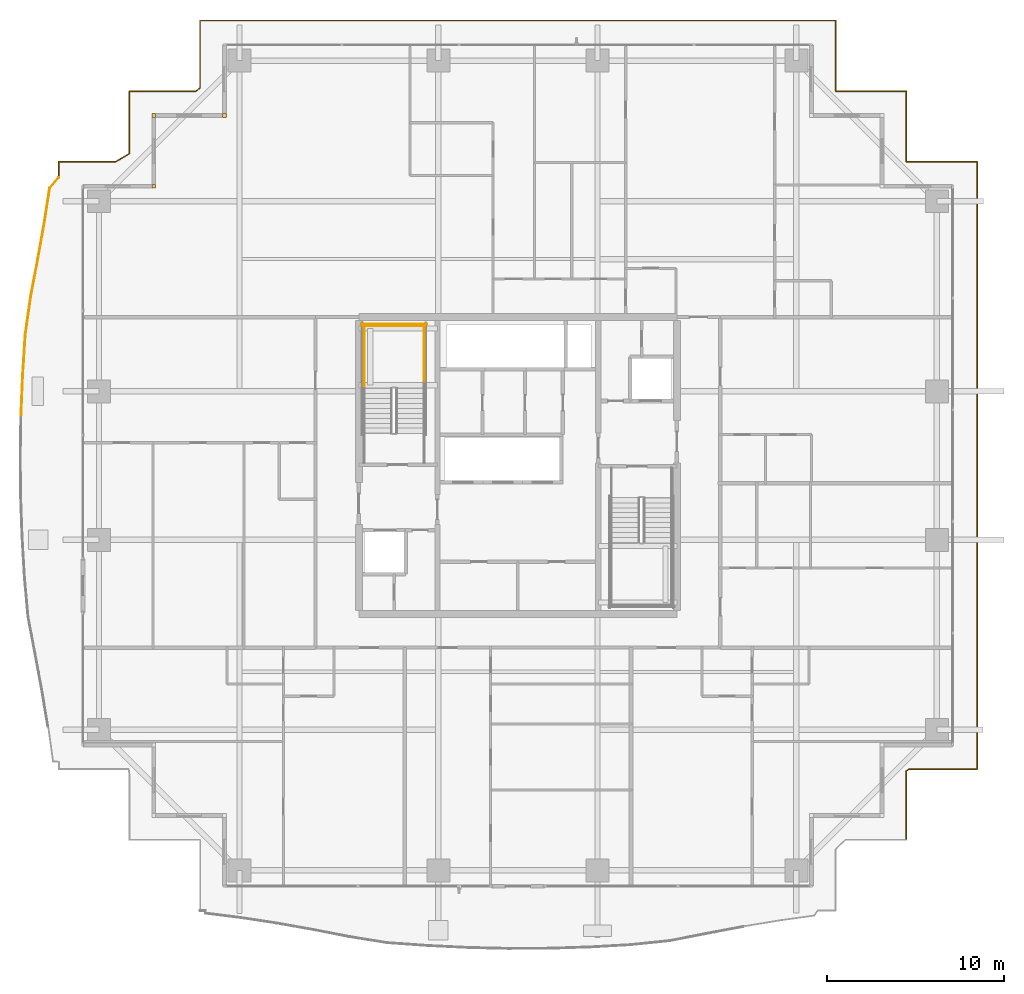
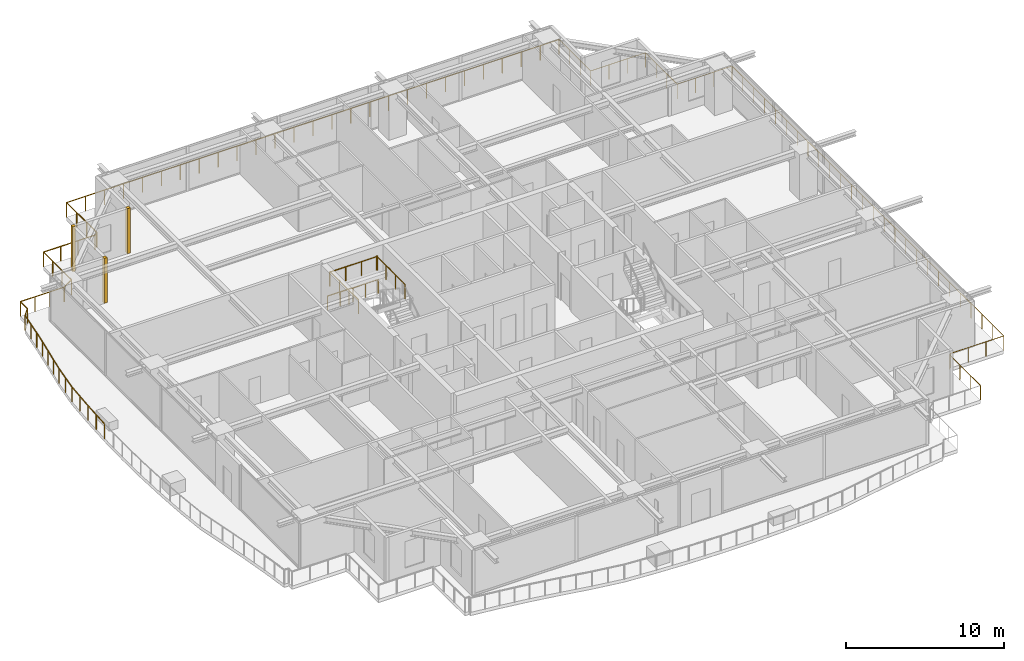
# One storey, part 34 of 35: 7 railings, 3 coverings.
"""IFC4 building model written with IfcOpenShell, lengths in metres."""

from ifc_helpers import new_model, si_unit, direction, frame, origin, origin_2d, place, context, subcontext, project, spatial, rectangle, circle, extrude, source, transform, mapped, material, layer, layer_set, type_object, element, save


model = new_model("IFC4")

# Units and contexts
model_context = context("Model", 3, precision=1e-05, world=origin(), true_north=direction((0.0, 1.0)))
body_context = subcontext(model_context, "Body", "Model", "MODEL_VIEW")
ifc_project = project(units=[si_unit("LENGTHUNIT", "METRE"), si_unit("AREAUNIT", "SQUARE_METRE"), si_unit("VOLUMEUNIT", "CUBIC_METRE"), si_unit("PLANEANGLEUNIT", "RADIAN"), si_unit("MASSUNIT", "GRAM", prefix="KILO")], contexts=[model_context])

# Site, building, storey
site_placement = place(None, origin())
site = spatial("IfcSite", under=ifc_project, at=site_placement, CompositionType="ELEMENT")
building_placement = place(site_placement, origin())
building = spatial("IfcBuilding", under=site, at=building_placement, Name="Serunith Strait Residences", CompositionType="ELEMENT")
storey_placement = place(building_placement, frame((0.0, 0.0, 157.64990234375)))
storey = spatial("IfcBuildingStorey", under=building, at=storey_placement, Name="L39", CompositionType="ELEMENT", Elevation=157.64990234375)

# Railings
ifc_material_1 = material(Name="Stainless Steel & Laminated Glass Balustrade", Category="steel")
railing_type_1 = type_object("IfcRailingType", Name="RLG-BALC-1150", PredefinedType="BALUSTRADE", material=ifc_material_1)
railing_1_placement = place(storey_placement, frame((4.2958984375, 28.037109375, -0.0498046875)))
element("IfcRailing", 1, at=railing_1_placement, inside=storey, type_object=railing_type_1, Name="L39 Swirling Balcony Perimeter Balustrade 3", PredefinedType="BALUSTRADE", context=body_context, shape_type="SweptSolid", body=[
    extrude(circle(Radius=0.02392578125, at=origin_2d()), frame((0.0, 0.001953125, 1.1259765625), z_axis=(0.041390934752, 0.99914302806, 0.0), x_axis=(-0.99914302806, 0.041390934752, 0.0)), (0.0, 0.0, 1.0), 2.28466796875),
    extrude(circle(Radius=0.02392578125, at=origin_2d()), frame((0.094970703125, 2.28857421875, 1.1259765625), z_axis=(0.063231414278, 0.997998891907, 0.0), x_axis=(-0.997998891907, 0.063231414278, 0.0)), (0.0, 0.0, 1.0), 2.258544921875),
    extrude(circle(Radius=0.02392578125, at=origin_2d()), frame((0.238037109375, 4.546630859375, 1.1259765625), z_axis=(0.14019358239, 0.990124113158, 0.0), x_axis=(-0.990124113158, 0.14019358239, 0.0)), (0.0, 0.0, 1.0), 2.195556640625),
    extrude(circle(Radius=0.02392578125, at=origin_2d()), frame((0.546630859375, 6.724365234375, 1.1259765625), z_axis=(0.186943252248, 0.982370714363, 0.0), x_axis=(-0.982370714363, 0.186943252248, 0.0)), (0.0, 0.0, 1.0), 2.1220703125),
    extrude(circle(Radius=0.02392578125, at=origin_2d()), frame((0.94384765625, 8.81298828125, 1.1259765625), z_axis=(0.175868100237, 0.984413739908, 0.0), x_axis=(-0.984413739908, 0.175868100237, 0.0)), (0.0, 0.0, 1.0), 2.068603515625),
    extrude(circle(Radius=0.02392578125, at=origin_2d()), frame((1.308349609375, 10.853271484375, 1.1259765625), z_axis=(0.154040180461, 0.988064584328, 0.0), x_axis=(-0.988064584328, 0.154040180461, 0.0)), (0.0, 0.0, 1.0), 2.031005859375),
    extrude(circle(Radius=0.02392578125, at=origin_2d()), frame((1.622802734375, 12.863525390625, 1.1259765625), z_axis=(0.650322829798, 0.759657960561, 0.0), x_axis=(-0.759657960561, 0.650322829798, 0.0)), (0.0, 0.0, 1.0), 0.7685546875),
    extrude(circle(Radius=0.02099609375, at=origin_2d()), origin(), (0.0, 0.0, 1.0), 1.099853515625),
    extrude(circle(Radius=0.02099609375, at=origin_2d()), frame((0.04736328125, 1.143310546875, 0.0)), (0.0, 0.0, 1.0), 1.099853515625),
    extrude(circle(Radius=0.02099609375, at=origin_2d()), frame((0.0947265625, 2.28662109375, 0.0)), (0.0, 0.0, 1.0), 1.099853515625),
    extrude(circle(Radius=0.02099609375, at=origin_2d()), frame((0.166259765625, 3.41552734375, 0.0)), (0.0, 0.0, 1.0), 1.099853515625),
    extrude(circle(Radius=0.02099609375, at=origin_2d()), frame((0.23779296875, 4.544677734375, 0.0)), (0.0, 0.0, 1.0), 1.099853515625),
    extrude(circle(Radius=0.02099609375, at=origin_2d()), frame((0.39208984375, 5.633544921875, 0.0)), (0.0, 0.0, 1.0), 1.099853515625),
    extrude(circle(Radius=0.02099609375, at=origin_2d()), frame((0.546142578125, 6.722412109375, 0.0)), (0.0, 0.0, 1.0), 1.099853515625),
    extrude(circle(Radius=0.02099609375, at=origin_2d()), frame((0.744873046875, 7.7666015625, 0.0)), (0.0, 0.0, 1.0), 1.099853515625),
    extrude(circle(Radius=0.02099609375, at=origin_2d()), frame((0.943603515625, 8.81103515625, 0.0)), (0.0, 0.0, 1.0), 1.099853515625),
    extrude(circle(Radius=0.02099609375, at=origin_2d()), frame((1.1259765625, 9.8310546875, 0.0)), (0.0, 0.0, 1.0), 1.099853515625),
    extrude(circle(Radius=0.02099609375, at=origin_2d()), frame((1.30810546875, 10.851318359375, 0.0)), (0.0, 0.0, 1.0), 1.099853515625),
    extrude(circle(Radius=0.02099609375, at=origin_2d()), frame((1.46484375, 11.856689453125, 0.0)), (0.0, 0.0, 1.0), 1.099853515625),
    extrude(circle(Radius=0.02099609375, at=origin_2d()), frame((1.62158203125, 12.862060546875, 0.0)), (0.0, 0.0, 1.0), 1.099853515625),
    extrude(circle(Radius=0.02099609375, at=origin_2d()), frame((2.1240234375, 13.448974609375, 0.0)), (0.0, 0.0, 1.0), 1.099853515625),
])
railing_2_placement = place(storey_placement, frame((6.419921875, 41.486083984375, -0.0498046875)))
element("IfcRailing", 2, at=railing_2_placement, inside=storey, type_object=railing_type_1, Name="L39 Swirling Balcony Perimeter Balustrade 4", PredefinedType="BALUSTRADE", context=body_context, shape_type="SweptSolid", body=[
    extrude(circle(Radius=0.02392578125, at=origin_2d()), frame((0.0, 0.001953125, 1.1259765625), z_axis=(0.0, 1.0, 0.0), x_axis=(-1.0, 0.0, 0.0)), (0.0, 0.0, 1.0), 0.889892578125),
    extrude(circle(Radius=0.02392578125, at=origin_2d()), frame((0.001953125, 0.893798828125, 1.1259765625), z_axis=(1.0, 0.0, 0.0), x_axis=(0.0, 1.0, 0.0)), (0.0, 0.0, 1.0), 3.20263671875),
    extrude(circle(Radius=0.02392578125, at=origin_2d()), frame((3.208251953125, 0.894775390625, 1.1259765625), z_axis=(0.859005095077, 0.511967036666, 0.0), x_axis=(-0.511967036666, 0.859005095077, 0.0)), (0.0, 0.0, 1.0), 0.919677734375),
    extrude(circle(Radius=0.02392578125, at=origin_2d()), frame((4.0, 1.36865234375, 1.1259765625), z_axis=(0.0, 1.0, 0.0), x_axis=(-1.0, 0.0, 0.0)), (0.0, 0.0, 1.0), 3.523193359375),
    extrude(circle(Radius=0.02392578125, at=origin_2d()), frame((4.001953125, 4.893798828125, 1.1259765625), z_axis=(1.0, 0.0, 0.0), x_axis=(0.0, 1.0, 0.0)), (0.0, 0.0, 1.0), 3.768310546875),
    extrude(circle(Radius=0.02392578125, at=origin_2d()), frame((7.773681640625, 4.89501953125, 1.1259765625), z_axis=(0.780215704958, 0.625510554457, 0.0), x_axis=(-0.625510554457, 0.780215704958, 0.0)), (0.0, 0.0, 1.0), 0.287841796875),
    extrude(circle(Radius=0.02392578125, at=origin_2d()), frame((8.0, 5.078369140625, 1.1259765625), z_axis=(0.0, 1.0, 0.0), x_axis=(-1.0, 0.0, 0.0)), (0.0, 0.0, 1.0), 3.8134765625),
    extrude(circle(Radius=0.02392578125, at=origin_2d()), frame((8.001953125, 8.893798828125, 1.1259765625), z_axis=(1.0, 0.0, 0.0), x_axis=(0.0, 1.0, 0.0)), (0.0, 0.0, 1.0), 35.9560546875),
    extrude(circle(Radius=0.02099609375, at=origin_2d()), origin(), (0.0, 0.0, 1.0), 1.099853515625),
    extrude(circle(Radius=0.02099609375, at=origin_2d()), frame((0.0, 0.893798828125, 0.0)), (0.0, 0.0, 1.0), 1.099853515625),
    extrude(circle(Radius=0.02099609375, at=origin_2d()), frame((1.06884765625, 0.893798828125, 0.0)), (0.0, 0.0, 1.0), 1.099853515625),
    extrude(circle(Radius=0.02099609375, at=origin_2d()), frame((2.1376953125, 0.893798828125, 0.0)), (0.0, 0.0, 1.0), 1.099853515625),
    extrude(circle(Radius=0.02099609375, at=origin_2d()), frame((3.20654296875, 0.893798828125, 0.0)), (0.0, 0.0, 1.0), 1.099853515625),
    extrude(circle(Radius=0.02099609375, at=origin_2d()), frame((4.0, 1.36669921875, 0.0)), (0.0, 0.0, 1.0), 1.099853515625),
    extrude(circle(Radius=0.02099609375, at=origin_2d()), frame((4.0, 2.54248046875, 0.0)), (0.0, 0.0, 1.0), 1.099853515625),
    extrude(circle(Radius=0.02099609375, at=origin_2d()), frame((4.0, 3.718017578125, 0.0)), (0.0, 0.0, 1.0), 1.099853515625),
    extrude(circle(Radius=0.02099609375, at=origin_2d()), frame((4.0, 4.893798828125, 0.0)), (0.0, 0.0, 1.0), 1.099853515625),
    extrude(circle(Radius=0.02099609375, at=origin_2d()), frame((5.25732421875, 4.893798828125, 0.0)), (0.0, 0.0, 1.0), 1.099853515625),
    extrude(circle(Radius=0.02099609375, at=origin_2d()), frame((6.514892578125, 4.893798828125, 0.0)), (0.0, 0.0, 1.0), 1.099853515625),
    extrude(circle(Radius=0.02099609375, at=origin_2d()), frame((7.772216796875, 4.893798828125, 0.0)), (0.0, 0.0, 1.0), 1.099853515625),
    extrude(circle(Radius=0.02099609375, at=origin_2d()), frame((8.0, 5.076416015625, 0.0)), (0.0, 0.0, 1.0), 1.099853515625),
    extrude(circle(Radius=0.02099609375, at=origin_2d()), frame((8.0, 6.348876953125, 0.0)), (0.0, 0.0, 1.0), 1.099853515625),
    extrude(circle(Radius=0.02099609375, at=origin_2d()), frame((8.0, 7.621337890625, 0.0)), (0.0, 0.0, 1.0), 1.099853515625),
    extrude(circle(Radius=0.02099609375, at=origin_2d()), frame((8.0, 8.893798828125, 0.0)), (0.0, 0.0, 1.0), 1.099853515625),
    extrude(circle(Radius=0.02099609375, at=origin_2d()), frame((9.383056640625, 8.893798828125, 0.0)), (0.0, 0.0, 1.0), 1.099853515625),
    extrude(circle(Radius=0.02099609375, at=origin_2d()), frame((10.76611328125, 8.893798828125, 0.0)), (0.0, 0.0, 1.0), 1.099853515625),
    extrude(circle(Radius=0.02099609375, at=origin_2d()), frame((12.149169921875, 8.893798828125, 0.0)), (0.0, 0.0, 1.0), 1.099853515625),
    extrude(circle(Radius=0.02099609375, at=origin_2d()), frame((13.5322265625, 8.893798828125, 0.0)), (0.0, 0.0, 1.0), 1.099853515625),
    extrude(circle(Radius=0.02099609375, at=origin_2d()), frame((14.915283203125, 8.893798828125, 0.0)), (0.0, 0.0, 1.0), 1.099853515625),
    extrude(circle(Radius=0.02099609375, at=origin_2d()), frame((16.29833984375, 8.893798828125, 0.0)), (0.0, 0.0, 1.0), 1.099853515625),
    extrude(circle(Radius=0.02099609375, at=origin_2d()), frame((17.681640625, 8.893798828125, 0.0)), (0.0, 0.0, 1.0), 1.099853515625),
    extrude(circle(Radius=0.02099609375, at=origin_2d()), frame((19.064697265625, 8.893798828125, 0.0)), (0.0, 0.0, 1.0), 1.099853515625),
    extrude(circle(Radius=0.02099609375, at=origin_2d()), frame((20.44775390625, 8.893798828125, 0.0)), (0.0, 0.0, 1.0), 1.099853515625),
    extrude(circle(Radius=0.02099609375, at=origin_2d()), frame((21.830810546875, 8.893798828125, 0.0)), (0.0, 0.0, 1.0), 1.099853515625),
    extrude(circle(Radius=0.02099609375, at=origin_2d()), frame((23.2138671875, 8.893798828125, 0.0)), (0.0, 0.0, 1.0), 1.099853515625),
    extrude(circle(Radius=0.02099609375, at=origin_2d()), frame((24.596923828125, 8.893798828125, 0.0)), (0.0, 0.0, 1.0), 1.099853515625),
    extrude(circle(Radius=0.02099609375, at=origin_2d()), frame((25.97998046875, 8.893798828125, 0.0)), (0.0, 0.0, 1.0), 1.099853515625),
    extrude(circle(Radius=0.02099609375, at=origin_2d()), frame((27.363037109375, 8.893798828125, 0.0)), (0.0, 0.0, 1.0), 1.099853515625),
    extrude(circle(Radius=0.02099609375, at=origin_2d()), frame((28.74609375, 8.893798828125, 0.0)), (0.0, 0.0, 1.0), 1.099853515625),
    extrude(circle(Radius=0.02099609375, at=origin_2d()), frame((30.129150390625, 8.893798828125, 0.0)), (0.0, 0.0, 1.0), 1.099853515625),
    extrude(circle(Radius=0.02099609375, at=origin_2d()), frame((31.51220703125, 8.893798828125, 0.0)), (0.0, 0.0, 1.0), 1.099853515625),
    extrude(circle(Radius=0.02099609375, at=origin_2d()), frame((32.895263671875, 8.893798828125, 0.0)), (0.0, 0.0, 1.0), 1.099853515625),
    extrude(circle(Radius=0.02099609375, at=origin_2d()), frame((34.2783203125, 8.893798828125, 0.0)), (0.0, 0.0, 1.0), 1.099853515625),
    extrude(circle(Radius=0.02099609375, at=origin_2d()), frame((35.66162109375, 8.893798828125, 0.0)), (0.0, 0.0, 1.0), 1.099853515625),
    extrude(circle(Radius=0.02099609375, at=origin_2d()), frame((37.044677734375, 8.893798828125, 0.0)), (0.0, 0.0, 1.0), 1.099853515625),
    extrude(circle(Radius=0.02099609375, at=origin_2d()), frame((38.427734375, 8.893798828125, 0.0)), (0.0, 0.0, 1.0), 1.099853515625),
    extrude(circle(Radius=0.02099609375, at=origin_2d()), frame((39.810791015625, 8.893798828125, 0.0)), (0.0, 0.0, 1.0), 1.099853515625),
    extrude(circle(Radius=0.02099609375, at=origin_2d()), frame((41.19384765625, 8.893798828125, 0.0)), (0.0, 0.0, 1.0), 1.099853515625),
    extrude(circle(Radius=0.02099609375, at=origin_2d()), frame((42.576904296875, 8.893798828125, 0.0)), (0.0, 0.0, 1.0), 1.099853515625),
    extrude(circle(Radius=0.02099609375, at=origin_2d()), frame((43.9599609375, 8.893798828125, 0.0)), (0.0, 0.0, 1.0), 1.099853515625),
])
railing_3_placement = place(storey_placement, frame((50.3798828125, 50.3798828125, -0.0498046875)))
element("IfcRailing", 3, at=railing_3_placement, inside=storey, type_object=railing_type_1, Name="L39 Swirling Balcony Perimeter Balustrade 5", PredefinedType="BALUSTRADE", context=body_context, shape_type="SweptSolid", body=[
    extrude(circle(Radius=0.02392578125, at=origin_2d()), frame((0.0, -0.001953125, 1.1259765625), z_axis=(0.0, -1.0, 0.0), x_axis=(1.0, 0.0, 0.0)), (0.0, 0.0, 1.0), 3.99609375),
    extrude(circle(Radius=0.02392578125, at=origin_2d()), frame((0.001953125, -4.0, 1.1259765625), z_axis=(1.0, 0.0, 0.0), x_axis=(0.0, 1.0, 0.0)), (0.0, 0.0, 1.0), 3.99609375),
    extrude(circle(Radius=0.02392578125, at=origin_2d()), frame((4.0, -4.001953125, 1.1259765625), z_axis=(0.0, -1.0, 0.0), x_axis=(1.0, 0.0, 0.0)), (0.0, 0.0, 1.0), 3.99609375),
    extrude(circle(Radius=0.02392578125, at=origin_2d()), frame((4.001953125, -8.0, 1.1259765625), z_axis=(1.0, 0.0, 0.0), x_axis=(0.0, 1.0, 0.0)), (0.0, 0.0, 1.0), 3.99609375),
    extrude(circle(Radius=0.02392578125, at=origin_2d()), frame((8.0, -8.001953125, 1.1259765625), z_axis=(0.0, -1.0, 0.0), x_axis=(1.0, 0.0, 0.0)), (0.0, 0.0, 1.0), 34.35595703125),
    extrude(circle(Radius=0.02392578125, at=origin_2d()), frame((7.998046875, -42.35986328125, 1.1259765625), z_axis=(-1.0, 0.0, 0.0), x_axis=(0.0, -1.0, 0.0)), (0.0, 0.0, 1.0), 3.86083984375),
    extrude(circle(Radius=0.02392578125, at=origin_2d()), frame((4.133544921875, -42.361083984375, 1.1259765625), z_axis=(-0.809367380782, -0.587302684249, 0.0), x_axis=(0.587302684249, -0.809367380782, 0.0)), (0.0, 0.0, 1.0), 0.1630859375),
    extrude(circle(Radius=0.02392578125, at=origin_2d()), frame((4.0, -42.4599609375, 1.1259765625), z_axis=(0.0, -1.0, 0.0), x_axis=(1.0, 0.0, 0.0)), (0.0, 0.0, 1.0), 3.89794921875),
    extrude(circle(Radius=0.02099609375, at=origin_2d()), origin(), (0.0, 0.0, 1.0), 1.099853515625),
    extrude(circle(Radius=0.02099609375, at=origin_2d()), frame((0.0, -1.333251953125, 0.0)), (0.0, 0.0, 1.0), 1.099853515625),
    extrude(circle(Radius=0.02099609375, at=origin_2d()), frame((0.0, -2.666748046875, 0.0)), (0.0, 0.0, 1.0), 1.099853515625),
    extrude(circle(Radius=0.02099609375, at=origin_2d()), frame((0.0, -4.0, 0.0)), (0.0, 0.0, 1.0), 1.099853515625),
    extrude(circle(Radius=0.02099609375, at=origin_2d()), frame((1.333251953125, -4.0, 0.0)), (0.0, 0.0, 1.0), 1.099853515625),
    extrude(circle(Radius=0.02099609375, at=origin_2d()), frame((2.666748046875, -4.0, 0.0)), (0.0, 0.0, 1.0), 1.099853515625),
    extrude(circle(Radius=0.02099609375, at=origin_2d()), frame((4.0, -4.0, 0.0)), (0.0, 0.0, 1.0), 1.099853515625),
    extrude(circle(Radius=0.02099609375, at=origin_2d()), frame((4.0, -5.333251953125, 0.0)), (0.0, 0.0, 1.0), 1.099853515625),
    extrude(circle(Radius=0.02099609375, at=origin_2d()), frame((4.0, -6.666748046875, 0.0)), (0.0, 0.0, 1.0), 1.099853515625),
    extrude(circle(Radius=0.02099609375, at=origin_2d()), frame((4.0, -8.0, 0.0)), (0.0, 0.0, 1.0), 1.099853515625),
    extrude(circle(Radius=0.02099609375, at=origin_2d()), frame((5.333251953125, -8.0, 0.0)), (0.0, 0.0, 1.0), 1.099853515625),
    extrude(circle(Radius=0.02099609375, at=origin_2d()), frame((6.666748046875, -8.0, 0.0)), (0.0, 0.0, 1.0), 1.099853515625),
    extrude(circle(Radius=0.02099609375, at=origin_2d()), frame((8.0, -8.0, 0.0)), (0.0, 0.0, 1.0), 1.099853515625),
    extrude(circle(Radius=0.02099609375, at=origin_2d()), frame((8.0, -9.37451171875, 0.0)), (0.0, 0.0, 1.0), 1.099853515625),
    extrude(circle(Radius=0.02099609375, at=origin_2d()), frame((8.0, -10.748779296875, 0.0)), (0.0, 0.0, 1.0), 1.099853515625),
    extrude(circle(Radius=0.02099609375, at=origin_2d()), frame((8.0, -12.123291015625, 0.0)), (0.0, 0.0, 1.0), 1.099853515625),
    extrude(circle(Radius=0.02099609375, at=origin_2d()), frame((8.0, -13.49755859375, 0.0)), (0.0, 0.0, 1.0), 1.099853515625),
    extrude(circle(Radius=0.02099609375, at=origin_2d()), frame((8.0, -14.8720703125, 0.0)), (0.0, 0.0, 1.0), 1.099853515625),
    extrude(circle(Radius=0.02099609375, at=origin_2d()), frame((8.0, -16.246337890625, 0.0)), (0.0, 0.0, 1.0), 1.099853515625),
    extrude(circle(Radius=0.02099609375, at=origin_2d()), frame((8.0, -17.620849609375, 0.0)), (0.0, 0.0, 1.0), 1.099853515625),
    extrude(circle(Radius=0.02099609375, at=origin_2d()), frame((8.0, -18.9951171875, 0.0)), (0.0, 0.0, 1.0), 1.099853515625),
    extrude(circle(Radius=0.02099609375, at=origin_2d()), frame((8.0, -20.36962890625, 0.0)), (0.0, 0.0, 1.0), 1.099853515625),
    extrude(circle(Radius=0.02099609375, at=origin_2d()), frame((8.0, -21.743896484375, 0.0)), (0.0, 0.0, 1.0), 1.099853515625),
    extrude(circle(Radius=0.02099609375, at=origin_2d()), frame((8.0, -23.118408203125, 0.0)), (0.0, 0.0, 1.0), 1.099853515625),
    extrude(circle(Radius=0.02099609375, at=origin_2d()), frame((8.0, -24.49267578125, 0.0)), (0.0, 0.0, 1.0), 1.099853515625),
    extrude(circle(Radius=0.02099609375, at=origin_2d()), frame((8.0, -25.8671875, 0.0)), (0.0, 0.0, 1.0), 1.099853515625),
    extrude(circle(Radius=0.02099609375, at=origin_2d()), frame((8.0, -27.241455078125, 0.0)), (0.0, 0.0, 1.0), 1.099853515625),
    extrude(circle(Radius=0.02099609375, at=origin_2d()), frame((8.0, -28.615966796875, 0.0)), (0.0, 0.0, 1.0), 1.099853515625),
    extrude(circle(Radius=0.02099609375, at=origin_2d()), frame((8.0, -29.990234375, 0.0)), (0.0, 0.0, 1.0), 1.099853515625),
    extrude(circle(Radius=0.02099609375, at=origin_2d()), frame((8.0, -31.36474609375, 0.0)), (0.0, 0.0, 1.0), 1.099853515625),
    extrude(circle(Radius=0.02099609375, at=origin_2d()), frame((8.0, -32.739013671875, 0.0)), (0.0, 0.0, 1.0), 1.099853515625),
    extrude(circle(Radius=0.02099609375, at=origin_2d()), frame((8.0, -34.113525390625, 0.0)), (0.0, 0.0, 1.0), 1.099853515625),
    extrude(circle(Radius=0.02099609375, at=origin_2d()), frame((8.0, -35.48779296875, 0.0)), (0.0, 0.0, 1.0), 1.099853515625),
    extrude(circle(Radius=0.02099609375, at=origin_2d()), frame((8.0, -36.8623046875, 0.0)), (0.0, 0.0, 1.0), 1.099853515625),
    extrude(circle(Radius=0.02099609375, at=origin_2d()), frame((8.0, -38.236572265625, 0.0)), (0.0, 0.0, 1.0), 1.099853515625),
    extrude(circle(Radius=0.02099609375, at=origin_2d()), frame((8.0, -39.611083984375, 0.0)), (0.0, 0.0, 1.0), 1.099853515625),
    extrude(circle(Radius=0.02099609375, at=origin_2d()), frame((8.0, -40.9853515625, 0.0)), (0.0, 0.0, 1.0), 1.099853515625),
    extrude(circle(Radius=0.02099609375, at=origin_2d()), frame((8.0, -42.35986328125, 0.0)), (0.0, 0.0, 1.0), 1.099853515625),
    extrude(circle(Radius=0.02099609375, at=origin_2d()), frame((6.711669921875, -42.35986328125, 0.0)), (0.0, 0.0, 1.0), 1.099853515625),
    extrude(circle(Radius=0.02099609375, at=origin_2d()), frame((5.423583984375, -42.35986328125, 0.0)), (0.0, 0.0, 1.0), 1.099853515625),
    extrude(circle(Radius=0.02099609375, at=origin_2d()), frame((4.13525390625, -42.35986328125, 0.0)), (0.0, 0.0, 1.0), 1.099853515625),
    extrude(circle(Radius=0.02099609375, at=origin_2d()), frame((4.0, -42.4580078125, 0.0)), (0.0, 0.0, 1.0), 1.099853515625),
    extrude(circle(Radius=0.02099609375, at=origin_2d()), frame((4.0, -43.758544921875, 0.0)), (0.0, 0.0, 1.0), 1.099853515625),
    extrude(circle(Radius=0.02099609375, at=origin_2d()), frame((4.0, -45.059326171875, 0.0)), (0.0, 0.0, 1.0), 1.099853515625),
    extrude(circle(Radius=0.02099609375, at=origin_2d()), frame((4.0, -46.35986328125, 0.0)), (0.0, 0.0, 1.0), 1.099853515625),
])
ifc_material_2 = material(Name="Brushed stainless steel 316L", Category="steel")
railing_type_2 = type_object("IfcRailingType", Name="RLG-STAIR-GUARD", PredefinedType="BALUSTRADE", material=ifc_material_2)
for number, where, name in (
    (4, (27.10009765625, 29.550048828125, 1.875), "L39 ST-1 stair guard 3"),
    (5, (23.699951171875, 29.550048828125, 1.875), "L39 ST-1 stair guard 4"),
):
    element("IfcRailing", number, at=place(storey_placement, frame(where)), inside=storey, type_object=railing_type_2, Name=name, PredefinedType="BALUSTRADE", context=body_context, shape_type="SweptSolid", body=[
        extrude(circle(Radius=0.02392578125, at=origin_2d()), frame((0.0, 0.001953125, 1.076171875), z_axis=(0.0, 1.0, 0.0), x_axis=(-1.0, 0.0, 0.0)), (0.0, 0.0, 1.0), 3.595947265625),
        extrude(circle(Radius=0.02099609375, at=origin_2d()), origin(), (0.0, 0.0, 1.0), 1.050048828125),
        extrude(circle(Radius=0.02099609375, at=origin_2d()), frame((0.0, 1.199951171875, 0.0)), (0.0, 0.0, 1.0), 1.050048828125),
        extrude(circle(Radius=0.02099609375, at=origin_2d()), frame((0.0, 2.39990234375, 0.0)), (0.0, 0.0, 1.0), 1.050048828125),
        extrude(circle(Radius=0.02099609375, at=origin_2d()), frame((0.0, 3.599853515625, 0.0)), (0.0, 0.0, 1.0), 1.050048828125),
    ])
railing_4_placement = place(storey_placement, frame((27.14990234375, 33.10009765625, 1.875)))
element("IfcRailing", 6, at=railing_4_placement, inside=storey, type_object=railing_type_2, Name="L39 ST-1 stair guard 5", PredefinedType="BALUSTRADE", context=body_context, shape_type="SweptSolid", body=[
    extrude(circle(Radius=0.02392578125, at=origin_2d()), frame((-0.001953125, 0.0, 1.076171875), z_axis=(-1.0, 0.0, 0.0), x_axis=(0.0, -1.0, 0.0)), (0.0, 0.0, 1.0), 3.49609375),
    extrude(circle(Radius=0.02099609375, at=origin_2d()), origin(), (0.0, 0.0, 1.0), 1.050048828125),
    extrude(circle(Radius=0.02099609375, at=origin_2d()), frame((-1.166748046875, 0.0, 0.0)), (0.0, 0.0, 1.0), 1.050048828125),
    extrude(circle(Radius=0.02099609375, at=origin_2d()), frame((-2.333251953125, 0.0, 0.0)), (0.0, 0.0, 1.0), 1.050048828125),
    extrude(circle(Radius=0.02099609375, at=origin_2d()), frame((-3.5, 0.0, 0.0)), (0.0, 0.0, 1.0), 1.050048828125),
])
railing_5_placement = place(storey_placement, frame((27.25, 33.199951171875, 0.0)))
element("IfcRailing", 7, at=railing_5_placement, inside=storey, type_object=railing_type_2, Name="L39 ST-1 stair guard 12", PredefinedType="BALUSTRADE", context=body_context, shape_type="SweptSolid", body=[
    extrude(circle(Radius=0.02392578125, at=origin_2d()), frame((-0.001953125, 0.0, 1.076171875), z_axis=(-1.0, 0.0, 0.0), x_axis=(0.0, -1.0, 0.0)), (0.0, 0.0, 1.0), 3.696044921875),
    extrude(circle(Radius=0.02099609375, at=origin_2d()), origin(), (0.0, 0.0, 1.0), 1.050048828125),
    extrude(circle(Radius=0.02099609375, at=origin_2d()), frame((-0.925048828125, 0.0, 0.0)), (0.0, 0.0, 1.0), 1.050048828125),
    extrude(circle(Radius=0.02099609375, at=origin_2d()), frame((-1.85009765625, 0.0, 0.0)), (0.0, 0.0, 1.0), 1.050048828125),
    extrude(circle(Radius=0.02099609375, at=origin_2d()), frame((-2.77490234375, 0.0, 0.0)), (0.0, 0.0, 1.0), 1.050048828125),
    extrude(circle(Radius=0.02099609375, at=origin_2d()), frame((-3.699951171875, 0.0, 0.0)), (0.0, 0.0, 1.0), 1.050048828125),
])

# Coverings
ifc_material_3 = material(Name="Pale-Champagne Anodised Aluminium", Category="aluminium")
ifc_layer = layer(ifc_material_3, 0.219970703125, Name="Pale-Champagne Anodised Aluminium")
ifc_layer_set = layer_set([ifc_layer], Name="Pale-Champagne Anodised Aluminium")
covering_type = type_object("IfcCoveringType", Name="COV-CORN-TRIM", PredefinedType="CLADDING", material=ifc_layer_set)
shared_shape = source(origin(), body_context, "Body", "SweptSolid", [
    extrude(rectangle(XDim=0.221923828125, YDim=0.221923828125, at=origin_2d()), origin(), (0.0, 0.0, 1.0), 3.47509765625),
])
for number, where, z_axis, x_axis, name in (
    (8, (15.800048828125, 45.0, 0.0), (0.0, 0.0, 1.0), (1.0, 0.0, 0.0), "L39 Girih Serrated Corner Trim Post 12"),
    (9, (11.800048828125, 45.0, 0.0), (0.0, 0.0, 1.0), (1.0, 0.0, 0.0), "L39 Girih Serrated Corner Trim Post 13"),
    (10, (11.800048828125, 41.0, 0.0), (0.0, 0.0, 1.0), (1.0, 0.0, 0.0), "L39 Girih Serrated Corner Trim Post 14"),
):
    element("IfcCovering", number, at=place(storey_placement, frame(where, z_axis=z_axis, x_axis=x_axis)), inside=storey, type_object=covering_type, Name=name, PredefinedType="CLADDING", context=body_context, shape_type="MappedRepresentation", body=[
        mapped(shared_shape, transform((0.0, 0.0, 0.0), scale=1.0)),
    ])

save(model, "model.ifc")
